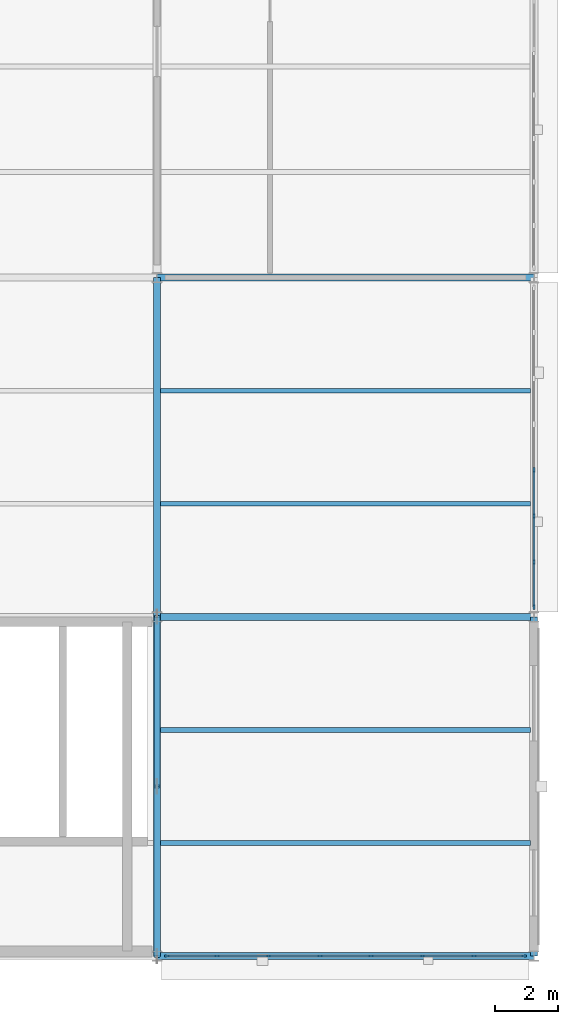
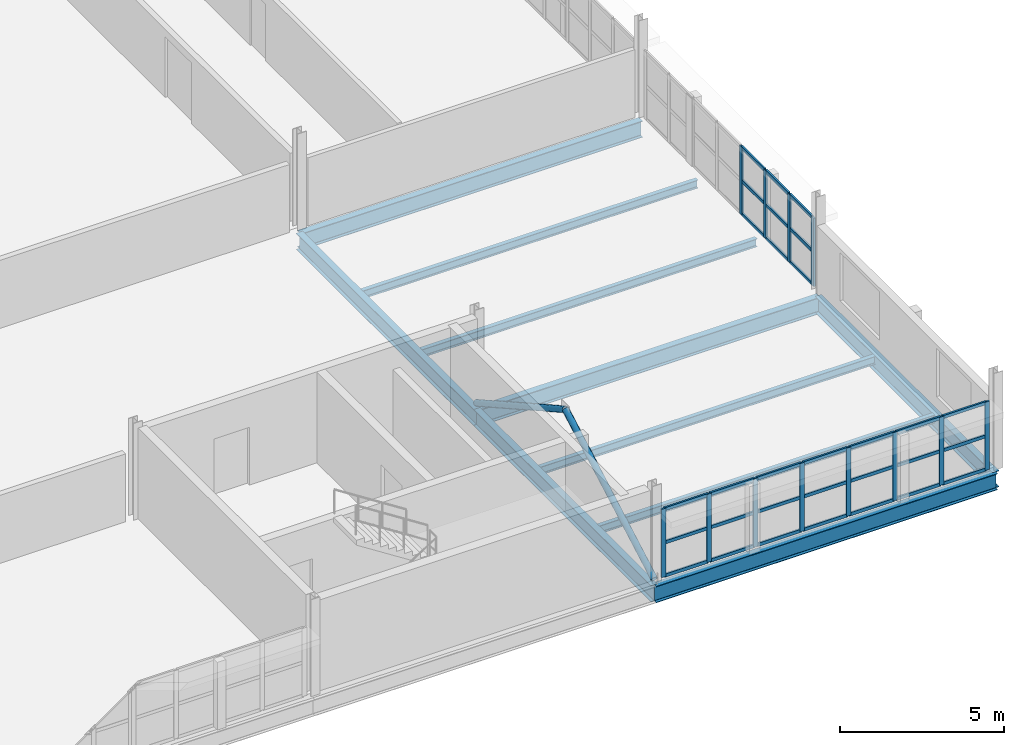
# One storey, part 48 of 101: 44 members, 10 beams, 2 elements without a shape of their own.
"""IFC4 building model written with IfcOpenShell, lengths in metres."""

from ifc_helpers import new_model, si_unit, direction, frame, origin, origin_2d, place, context, subcontext, project, spatial, rectangle, hollow_circle, i_section, extrude, material, layer, layer_set, material_profile, profile_set, type_object, element, aggregate, save


model = new_model("IFC4")

# Units and contexts
model_context = context("Model", 3, precision=1e-05, world=origin(), true_north=direction((0.0, 1.0)))
body_context = subcontext(model_context, "Body", "Model", "MODEL_VIEW")
ifc_project = project(units=[si_unit("LENGTHUNIT", "METRE"), si_unit("AREAUNIT", "SQUARE_METRE"), si_unit("VOLUMEUNIT", "CUBIC_METRE"), si_unit("PLANEANGLEUNIT", "RADIAN"), si_unit("MASSUNIT", "GRAM", prefix="KILO"), si_unit("THERMODYNAMICTEMPERATUREUNIT", "KELVIN"), si_unit("POWERUNIT", "WATT")], contexts=[model_context])

# Site, building, storey
site_placement = place(None, origin())
site = spatial("IfcSite", under=ifc_project, at=site_placement, CompositionType="ELEMENT")
building_placement = place(site_placement, origin())
building = spatial("IfcBuilding", under=site, at=building_placement, Name="Tembeka Court Mobility Hub", CompositionType="ELEMENT")
storey_placement = place(building_placement, frame((0.0, 0.0, 5.39990234375)))
storey = spatial("IfcBuildingStorey", under=building, at=storey_placement, Name="L01", CompositionType="ELEMENT", Elevation=5.39990234375)

# Beams
ifc_material_1 = material(Name="Steel S355", Category="steel")
ifc_material_profile_1 = material_profile(ifc_material_1, i_section(OverallWidth=0.22900390625, OverallDepth=0.612060546875, WebThickness=0.011962890625, FlangeThickness=0.01953125, FilletRadius=0.0126953125, at=origin_2d()), Name="UKB 610x229x125")
ifc_profile_set_1 = profile_set([ifc_material_profile_1], Name="Steel S355")
beam_type_1 = type_object("IfcBeamType", Name="BM-G02", PredefinedType="USERDEFINED", material=ifc_profile_set_1)
for number, where, z_axis, x_axis, name in (
    (1, (164.39990234375, 0.0, -0.495849609375), (1.0, 0.0, 0.0), (0.0, 1.0, 0.0), "Beam G02 (BM-L01-X0620)"),
    (2, (164.39990234375, 10.800048828125, -0.495849609375), (1.0, 0.0, 0.0), (0.0, 1.0, 0.0), "Beam G02 (BM-L01-X0628)"),
    (3, (164.39990234375, 21.60009765625, -0.495849609375), (1.0, 0.0, 0.0), (0.0, 1.0, 0.0), "Beam G02 (BM-L01-X0644)"),
):
    element("IfcBeam", number, at=place(storey_placement, frame(where, z_axis=z_axis, x_axis=x_axis)), inside=storey, type_object=beam_type_1, Name=name, ObjectType="GIRDER", PredefinedType="USERDEFINED", context=body_context, shape_type="SweptSolid", body=[
        extrude(i_section(OverallWidth=0.22900390625, OverallDepth=0.612060546875, WebThickness=0.011962890625, FlangeThickness=0.01953125, FilletRadius=0.0126953125, at=origin_2d()), origin(), (0.0, 0.0, 1.0), 12.0),
    ])
for number, where, z_axis, x_axis, name in (
    (4, (164.39990234375, 0.0, -0.495849609375), (0.0, 1.0, 0.0), (-1.0, 0.0, 0.0), "Beam G02 (BM-L01-Y0899)"),
    (5, (164.39990234375, 10.800048828125, -0.495849609375), (0.0, 1.0, 0.0), (-1.0, 0.0, 0.0), "Beam G02 (BM-L01-Y0900)"),
    (6, (176.39990234375, 0.0, -0.495849609375), (0.0, 1.0, 0.0), (-1.0, 0.0, 0.0), "Beam G02 (BM-L01-Y0905)"),
):
    element("IfcBeam", number, at=place(storey_placement, frame(where, z_axis=z_axis, x_axis=x_axis)), inside=storey, type_object=beam_type_1, Name=name, ObjectType="GIRDER", PredefinedType="USERDEFINED", context=body_context, shape_type="SweptSolid", body=[
        extrude(i_section(OverallWidth=0.22900390625, OverallDepth=0.612060546875, WebThickness=0.011962890625, FlangeThickness=0.01953125, FilletRadius=0.0126953125, at=origin_2d()), origin(), (0.0, 0.0, 1.0), 10.800048828125),
    ])
ifc_material_profile_2 = material_profile(ifc_material_1, i_section(OverallWidth=0.14990234375, OverallDepth=0.300048828125, WebThickness=0.007080078125, FlangeThickness=0.0107421875, FilletRadius=0.014892578125, at=origin_2d()), Name="IPE 300")
ifc_profile_set_2 = profile_set([ifc_material_profile_2], Name="Steel S355")
beam_type_2 = type_object("IfcBeamType", Name="BM-J04", PredefinedType="JOIST", material=ifc_profile_set_2)
for number, where, z_axis, x_axis, name in (
    (7, (164.509521484375, 3.60009765625, -0.33984375), (1.0, 0.0, 0.0), (0.0, 1.0, 0.0), "Beam J04 (JST-L01-1156)"),
    (8, (164.509521484375, 7.199951171875, -0.33984375), (1.0, 0.0, 0.0), (0.0, 1.0, 0.0), "Beam J04 (JST-L01-1157)"),
    (9, (164.509521484375, 14.39990234375, -0.33984375), (1.0, 0.0, 0.0), (0.0, 1.0, 0.0), "Beam J04 (JST-L01-1158)"),
    (10, (164.509521484375, 18.0, -0.33984375), (1.0, 0.0, 0.0), (0.0, 1.0, 0.0), "Beam J04 (JST-L01-1159)"),
):
    element("IfcBeam", number, at=place(storey_placement, frame(where, z_axis=z_axis, x_axis=x_axis)), inside=storey, type_object=beam_type_2, Name=name, PredefinedType="JOIST", context=body_context, shape_type="SweptSolid", body=[
        extrude(i_section(OverallWidth=0.14990234375, OverallDepth=0.300048828125, WebThickness=0.007080078125, FlangeThickness=0.0107421875, FilletRadius=0.014892578125, at=origin_2d()), origin(), (0.0, 0.0, 1.0), 11.781005859375),
    ])

# Curtain wall, members
ifc_material_2 = material(Name="Anodised aluminium 6063-T6", Category="aluminium")
ifc_layer_1 = layer(ifc_material_2, 0.159912109375)
ifc_layer_set_1 = layer_set([ifc_layer_1], Name="Anodised aluminium 6063-T6")
curtain_wall_type_1 = type_object("IfcCurtainWallType", Name="CW-SYS41", PredefinedType="USERDEFINED", material=ifc_layer_set_1)
curtain_wall_1_placement = place(storey_placement, origin())
curtain_wall_1 = element("IfcCurtainWall", 11, at=curtain_wall_1_placement, inside=storey, type_object=curtain_wall_type_1, Name="Unitised curtain wall CW41 (CW-L01-109)", ObjectType="UNITISED GLAZING", PredefinedType="USERDEFINED")
ifc_material_profile_3 = material_profile(ifc_material_2, rectangle(XDim=0.06494140625, YDim=0.159912109375, at=origin_2d()), Name="ALU-MUL 65x160")
ifc_profile_set_3 = profile_set([ifc_material_profile_3], Name="Anodised aluminium 6063-T6")
member_type_1 = type_object("IfcMemberType", Name="CW-MUL01", PredefinedType="MULLION", material=ifc_profile_set_3)
member_1_placement = place(storey_placement, frame((164.71240234375, 0.0, 0.0), z_axis=(0.0, 0.0, 1.0), x_axis=(0.0, 1.0, 0.0)))
member_1 = element("IfcMember", 12, at=member_1_placement, type_object=member_type_1, Name="CW41 mullion 1", PredefinedType="MULLION", context=body_context, shape_type="SweptSolid", body=[
    extrude(rectangle(XDim=0.06494140625, YDim=0.159912109375, at=origin_2d()), origin(), (0.0, 0.0, 1.0), 2.53515625),
])
member_2_placement = place(storey_placement, frame((166.314208984375, 0.0, 0.0), z_axis=(0.0, 0.0, 1.0), x_axis=(0.0, 1.0, 0.0)))
member_2 = element("IfcMember", 13, at=member_2_placement, type_object=member_type_1, Name="CW41 mullion 2", PredefinedType="MULLION", context=body_context, shape_type="SweptSolid", body=[
    extrude(rectangle(XDim=0.06494140625, YDim=0.159912109375, at=origin_2d()), origin(), (0.0, 0.0, 1.0), 2.53515625),
])
member_3_placement = place(storey_placement, frame((167.948486328125, 0.0, 0.0), z_axis=(0.0, 0.0, 1.0), x_axis=(0.0, 1.0, 0.0)))
member_3 = element("IfcMember", 14, at=member_3_placement, type_object=member_type_1, Name="CW41 mullion 3", PredefinedType="MULLION", context=body_context, shape_type="SweptSolid", body=[
    extrude(rectangle(XDim=0.06494140625, YDim=0.159912109375, at=origin_2d()), origin(), (0.0, 0.0, 1.0), 2.53515625),
])
member_4_placement = place(storey_placement, frame((169.582763671875, 0.0, 0.0), z_axis=(0.0, 0.0, 1.0), x_axis=(0.0, 1.0, 0.0)))
member_4 = element("IfcMember", 15, at=member_4_placement, type_object=member_type_1, Name="CW41 mullion 4", PredefinedType="MULLION", context=body_context, shape_type="SweptSolid", body=[
    extrude(rectangle(XDim=0.06494140625, YDim=0.159912109375, at=origin_2d()), origin(), (0.0, 0.0, 1.0), 2.53515625),
])
member_5_placement = place(storey_placement, frame((171.217041015625, 0.0, 0.0), z_axis=(0.0, 0.0, 1.0), x_axis=(0.0, 1.0, 0.0)))
member_5 = element("IfcMember", 16, at=member_5_placement, type_object=member_type_1, Name="CW41 mullion 5", PredefinedType="MULLION", context=body_context, shape_type="SweptSolid", body=[
    extrude(rectangle(XDim=0.06494140625, YDim=0.159912109375, at=origin_2d()), origin(), (0.0, 0.0, 1.0), 2.53515625),
])
member_6_placement = place(storey_placement, frame((172.851318359375, 0.0, 0.0), z_axis=(0.0, 0.0, 1.0), x_axis=(0.0, 1.0, 0.0)))
member_6 = element("IfcMember", 17, at=member_6_placement, type_object=member_type_1, Name="CW41 mullion 6", PredefinedType="MULLION", context=body_context, shape_type="SweptSolid", body=[
    extrude(rectangle(XDim=0.06494140625, YDim=0.159912109375, at=origin_2d()), origin(), (0.0, 0.0, 1.0), 2.53515625),
])
member_7_placement = place(storey_placement, frame((174.485595703125, 0.0, 0.0), z_axis=(0.0, 0.0, 1.0), x_axis=(0.0, 1.0, 0.0)))
member_7 = element("IfcMember", 18, at=member_7_placement, type_object=member_type_1, Name="CW41 mullion 7", PredefinedType="MULLION", context=body_context, shape_type="SweptSolid", body=[
    extrude(rectangle(XDim=0.06494140625, YDim=0.159912109375, at=origin_2d()), origin(), (0.0, 0.0, 1.0), 2.53515625),
])
member_8_placement = place(storey_placement, frame((176.08740234375, 0.0, 0.0), z_axis=(0.0, 0.0, 1.0), x_axis=(0.0, 1.0, 0.0)))
member_8 = element("IfcMember", 19, at=member_8_placement, type_object=member_type_1, Name="CW41 mullion 8", PredefinedType="MULLION", context=body_context, shape_type="SweptSolid", body=[
    extrude(rectangle(XDim=0.06494140625, YDim=0.159912109375, at=origin_2d()), origin(), (0.0, 0.0, 1.0), 2.53515625),
])

ifc_layer_2 = layer(ifc_material_2, 0.159912109375)
ifc_layer_set_2 = layer_set([ifc_layer_2], Name="Anodised aluminium 6063-T6")
curtain_wall_type_2 = type_object("IfcCurtainWallType", Name="CW-SYS42", PredefinedType="USERDEFINED", material=ifc_layer_set_2)
curtain_wall_2_placement = place(storey_placement, origin())
curtain_wall_2 = element("IfcCurtainWall", 20, at=curtain_wall_2_placement, inside=storey, type_object=curtain_wall_type_2, Name="Unitised curtain wall CW42 (CW-L01-110)", ObjectType="UNITISED GLAZING", PredefinedType="USERDEFINED")
member_9_placement = place(storey_placement, frame((176.39990234375, 11.112548828125, 0.0), z_axis=(0.0, 0.0, 1.0), x_axis=(-1.0, 0.0, 0.0)))
member_9 = element("IfcMember", 21, at=member_9_placement, type_object=member_type_1, Name="CW42 mullion 1", PredefinedType="MULLION", context=body_context, shape_type="SweptSolid", body=[
    extrude(rectangle(XDim=0.06494140625, YDim=0.159912109375, at=origin_2d()), origin(), (0.0, 0.0, 1.0), 2.53515625),
])
member_10_placement = place(storey_placement, frame((176.39990234375, 12.54296875, 0.0), z_axis=(0.0, 0.0, 1.0), x_axis=(-1.0, 0.0, 0.0)))
member_10 = element("IfcMember", 22, at=member_10_placement, type_object=member_type_1, Name="CW42 mullion 2", PredefinedType="MULLION", context=body_context, shape_type="SweptSolid", body=[
    extrude(rectangle(XDim=0.06494140625, YDim=0.159912109375, at=origin_2d()), origin(), (0.0, 0.0, 1.0), 2.53515625),
])
member_11_placement = place(storey_placement, frame((176.39990234375, 14.005615234375, 0.0), z_axis=(0.0, 0.0, 1.0), x_axis=(-1.0, 0.0, 0.0)))
member_11 = element("IfcMember", 23, at=member_11_placement, type_object=member_type_1, Name="CW42 mullion 3", PredefinedType="MULLION", context=body_context, shape_type="SweptSolid", body=[
    extrude(rectangle(XDim=0.06494140625, YDim=0.159912109375, at=origin_2d()), origin(), (0.0, 0.0, 1.0), 2.53515625),
])
member_12_placement = place(storey_placement, frame((176.39990234375, 15.468505859375, 0.0), z_axis=(0.0, 0.0, 1.0), x_axis=(-1.0, 0.0, 0.0)))
member_12 = element("IfcMember", 24, at=member_12_placement, type_object=member_type_1, Name="CW42 mullion 4", PredefinedType="MULLION", context=body_context, shape_type="SweptSolid", body=[
    extrude(rectangle(XDim=0.06494140625, YDim=0.159912109375, at=origin_2d()), origin(), (0.0, 0.0, 1.0), 2.53515625),
])

# Member
ifc_material_profile_4 = material_profile(ifc_material_2, rectangle(XDim=0.06494140625, YDim=0.1201171875, at=origin_2d()), Name="ALU-TRN 65x120")
ifc_profile_set_4 = profile_set([ifc_material_profile_4], Name="Anodised aluminium 6063-T6")
member_type_2 = type_object("IfcMemberType", Name="CW-TRN01", PredefinedType="USERDEFINED", material=ifc_profile_set_4)
member_13_placement = place(storey_placement, frame((164.7451171875, 0.0, 0.03271484375), z_axis=(1.0, 0.0, 0.0), x_axis=(0.0, 1.0, 0.0)))
member_13 = element("IfcMember", 25, at=member_13_placement, type_object=member_type_2, Name="CW41 transom 1.1", ObjectType="TRANSOM", PredefinedType="USERDEFINED", context=body_context, shape_type="SweptSolid", body=[
    extrude(rectangle(XDim=0.06494140625, YDim=0.1201171875, at=origin_2d()), origin(), (0.0, 0.0, 1.0), 1.53662109375),
])

member_14_placement = place(storey_placement, frame((164.7451171875, 0.0, 1.267578125), z_axis=(1.0, 0.0, 0.0), x_axis=(0.0, 1.0, 0.0)))
member_14 = element("IfcMember", 26, at=member_14_placement, type_object=member_type_2, Name="CW41 transom 1.2", ObjectType="TRANSOM", PredefinedType="USERDEFINED", context=body_context, shape_type="SweptSolid", body=[
    extrude(rectangle(XDim=0.06494140625, YDim=0.1201171875, at=origin_2d()), origin(), (0.0, 0.0, 1.0), 1.53662109375),
])

member_15_placement = place(storey_placement, frame((164.7451171875, 0.0, 2.502685546875), z_axis=(1.0, 0.0, 0.0), x_axis=(0.0, 1.0, 0.0)))
member_15 = element("IfcMember", 27, at=member_15_placement, type_object=member_type_2, Name="CW41 transom 1.3", ObjectType="TRANSOM", PredefinedType="USERDEFINED", context=body_context, shape_type="SweptSolid", body=[
    extrude(rectangle(XDim=0.06494140625, YDim=0.1201171875, at=origin_2d()), origin(), (0.0, 0.0, 1.0), 1.53662109375),
])

member_16_placement = place(storey_placement, frame((166.3466796875, 0.0, 0.03271484375), z_axis=(1.0, 0.0, 0.0), x_axis=(0.0, 1.0, 0.0)))
member_16 = element("IfcMember", 28, at=member_16_placement, type_object=member_type_2, Name="CW41 transom 2.1", ObjectType="TRANSOM", PredefinedType="USERDEFINED", context=body_context, shape_type="SweptSolid", body=[
    extrude(rectangle(XDim=0.06494140625, YDim=0.1201171875, at=origin_2d()), origin(), (0.0, 0.0, 1.0), 1.5693359375),
])

member_17_placement = place(storey_placement, frame((166.3466796875, 0.0, 1.267578125), z_axis=(1.0, 0.0, 0.0), x_axis=(0.0, 1.0, 0.0)))
member_17 = element("IfcMember", 29, at=member_17_placement, type_object=member_type_2, Name="CW41 transom 2.2", ObjectType="TRANSOM", PredefinedType="USERDEFINED", context=body_context, shape_type="SweptSolid", body=[
    extrude(rectangle(XDim=0.06494140625, YDim=0.1201171875, at=origin_2d()), origin(), (0.0, 0.0, 1.0), 1.5693359375),
])

member_18_placement = place(storey_placement, frame((166.3466796875, 0.0, 2.502685546875), z_axis=(1.0, 0.0, 0.0), x_axis=(0.0, 1.0, 0.0)))
member_18 = element("IfcMember", 30, at=member_18_placement, type_object=member_type_2, Name="CW41 transom 2.3", ObjectType="TRANSOM", PredefinedType="USERDEFINED", context=body_context, shape_type="SweptSolid", body=[
    extrude(rectangle(XDim=0.06494140625, YDim=0.1201171875, at=origin_2d()), origin(), (0.0, 0.0, 1.0), 1.5693359375),
])

member_19_placement = place(storey_placement, frame((167.98095703125, 0.0, 0.03271484375), z_axis=(1.0, 0.0, 0.0), x_axis=(0.0, 1.0, 0.0)))
member_19 = element("IfcMember", 31, at=member_19_placement, type_object=member_type_2, Name="CW41 transom 3.1", ObjectType="TRANSOM", PredefinedType="USERDEFINED", context=body_context, shape_type="SweptSolid", body=[
    extrude(rectangle(XDim=0.06494140625, YDim=0.1201171875, at=origin_2d()), origin(), (0.0, 0.0, 1.0), 1.5693359375),
])

member_20_placement = place(storey_placement, frame((167.98095703125, 0.0, 1.267578125), z_axis=(1.0, 0.0, 0.0), x_axis=(0.0, 1.0, 0.0)))
member_20 = element("IfcMember", 32, at=member_20_placement, type_object=member_type_2, Name="CW41 transom 3.2", ObjectType="TRANSOM", PredefinedType="USERDEFINED", context=body_context, shape_type="SweptSolid", body=[
    extrude(rectangle(XDim=0.06494140625, YDim=0.1201171875, at=origin_2d()), origin(), (0.0, 0.0, 1.0), 1.5693359375),
])

member_21_placement = place(storey_placement, frame((167.98095703125, 0.0, 2.502685546875), z_axis=(1.0, 0.0, 0.0), x_axis=(0.0, 1.0, 0.0)))
member_21 = element("IfcMember", 33, at=member_21_placement, type_object=member_type_2, Name="CW41 transom 3.3", ObjectType="TRANSOM", PredefinedType="USERDEFINED", context=body_context, shape_type="SweptSolid", body=[
    extrude(rectangle(XDim=0.06494140625, YDim=0.1201171875, at=origin_2d()), origin(), (0.0, 0.0, 1.0), 1.5693359375),
])

member_22_placement = place(storey_placement, frame((169.615478515625, 0.0, 0.03271484375), z_axis=(1.0, 0.0, 0.0), x_axis=(0.0, 1.0, 0.0)))
member_22 = element("IfcMember", 34, at=member_22_placement, type_object=member_type_2, Name="CW41 transom 4.1", ObjectType="TRANSOM", PredefinedType="USERDEFINED", context=body_context, shape_type="SweptSolid", body=[
    extrude(rectangle(XDim=0.06494140625, YDim=0.1201171875, at=origin_2d()), origin(), (0.0, 0.0, 1.0), 1.569091796875),
])

member_23_placement = place(storey_placement, frame((169.615478515625, 0.0, 1.267578125), z_axis=(1.0, 0.0, 0.0), x_axis=(0.0, 1.0, 0.0)))
member_23 = element("IfcMember", 35, at=member_23_placement, type_object=member_type_2, Name="CW41 transom 4.2", ObjectType="TRANSOM", PredefinedType="USERDEFINED", context=body_context, shape_type="SweptSolid", body=[
    extrude(rectangle(XDim=0.06494140625, YDim=0.1201171875, at=origin_2d()), origin(), (0.0, 0.0, 1.0), 1.569091796875),
])

member_24_placement = place(storey_placement, frame((169.615478515625, 0.0, 2.502685546875), z_axis=(1.0, 0.0, 0.0), x_axis=(0.0, 1.0, 0.0)))
member_24 = element("IfcMember", 36, at=member_24_placement, type_object=member_type_2, Name="CW41 transom 4.3", ObjectType="TRANSOM", PredefinedType="USERDEFINED", context=body_context, shape_type="SweptSolid", body=[
    extrude(rectangle(XDim=0.06494140625, YDim=0.1201171875, at=origin_2d()), origin(), (0.0, 0.0, 1.0), 1.569091796875),
])

member_25_placement = place(storey_placement, frame((171.249755859375, 0.0, 0.03271484375), z_axis=(1.0, 0.0, 0.0), x_axis=(0.0, 1.0, 0.0)))
member_25 = element("IfcMember", 37, at=member_25_placement, type_object=member_type_2, Name="CW41 transom 5.1", ObjectType="TRANSOM", PredefinedType="USERDEFINED", context=body_context, shape_type="SweptSolid", body=[
    extrude(rectangle(XDim=0.06494140625, YDim=0.1201171875, at=origin_2d()), origin(), (0.0, 0.0, 1.0), 1.569091796875),
])

member_26_placement = place(storey_placement, frame((171.249755859375, 0.0, 1.267578125), z_axis=(1.0, 0.0, 0.0), x_axis=(0.0, 1.0, 0.0)))
member_26 = element("IfcMember", 38, at=member_26_placement, type_object=member_type_2, Name="CW41 transom 5.2", ObjectType="TRANSOM", PredefinedType="USERDEFINED", context=body_context, shape_type="SweptSolid", body=[
    extrude(rectangle(XDim=0.06494140625, YDim=0.1201171875, at=origin_2d()), origin(), (0.0, 0.0, 1.0), 1.569091796875),
])

member_27_placement = place(storey_placement, frame((171.249755859375, 0.0, 2.502685546875), z_axis=(1.0, 0.0, 0.0), x_axis=(0.0, 1.0, 0.0)))
member_27 = element("IfcMember", 39, at=member_27_placement, type_object=member_type_2, Name="CW41 transom 5.3", ObjectType="TRANSOM", PredefinedType="USERDEFINED", context=body_context, shape_type="SweptSolid", body=[
    extrude(rectangle(XDim=0.06494140625, YDim=0.1201171875, at=origin_2d()), origin(), (0.0, 0.0, 1.0), 1.569091796875),
])

member_28_placement = place(storey_placement, frame((172.884033203125, 0.0, 0.03271484375), z_axis=(1.0, 0.0, 0.0), x_axis=(0.0, 1.0, 0.0)))
member_28 = element("IfcMember", 40, at=member_28_placement, type_object=member_type_2, Name="CW41 transom 6.1", ObjectType="TRANSOM", PredefinedType="USERDEFINED", context=body_context, shape_type="SweptSolid", body=[
    extrude(rectangle(XDim=0.06494140625, YDim=0.1201171875, at=origin_2d()), origin(), (0.0, 0.0, 1.0), 1.569091796875),
])

member_29_placement = place(storey_placement, frame((172.884033203125, 0.0, 1.267578125), z_axis=(1.0, 0.0, 0.0), x_axis=(0.0, 1.0, 0.0)))
member_29 = element("IfcMember", 41, at=member_29_placement, type_object=member_type_2, Name="CW41 transom 6.2", ObjectType="TRANSOM", PredefinedType="USERDEFINED", context=body_context, shape_type="SweptSolid", body=[
    extrude(rectangle(XDim=0.06494140625, YDim=0.1201171875, at=origin_2d()), origin(), (0.0, 0.0, 1.0), 1.569091796875),
])

member_30_placement = place(storey_placement, frame((172.884033203125, 0.0, 2.502685546875), z_axis=(1.0, 0.0, 0.0), x_axis=(0.0, 1.0, 0.0)))
member_30 = element("IfcMember", 42, at=member_30_placement, type_object=member_type_2, Name="CW41 transom 6.3", ObjectType="TRANSOM", PredefinedType="USERDEFINED", context=body_context, shape_type="SweptSolid", body=[
    extrude(rectangle(XDim=0.06494140625, YDim=0.1201171875, at=origin_2d()), origin(), (0.0, 0.0, 1.0), 1.569091796875),
])

member_31_placement = place(storey_placement, frame((174.518310546875, 0.0, 0.03271484375), z_axis=(1.0, 0.0, 0.0), x_axis=(0.0, 1.0, 0.0)))
member_31 = element("IfcMember", 43, at=member_31_placement, type_object=member_type_2, Name="CW41 transom 7.1", ObjectType="TRANSOM", PredefinedType="USERDEFINED", context=body_context, shape_type="SweptSolid", body=[
    extrude(rectangle(XDim=0.06494140625, YDim=0.1201171875, at=origin_2d()), origin(), (0.0, 0.0, 1.0), 1.53662109375),
])

member_32_placement = place(storey_placement, frame((174.518310546875, 0.0, 1.267578125), z_axis=(1.0, 0.0, 0.0), x_axis=(0.0, 1.0, 0.0)))
member_32 = element("IfcMember", 44, at=member_32_placement, type_object=member_type_2, Name="CW41 transom 7.2", ObjectType="TRANSOM", PredefinedType="USERDEFINED", context=body_context, shape_type="SweptSolid", body=[
    extrude(rectangle(XDim=0.06494140625, YDim=0.1201171875, at=origin_2d()), origin(), (0.0, 0.0, 1.0), 1.53662109375),
])

member_33_placement = place(storey_placement, frame((174.518310546875, 0.0, 2.502685546875), z_axis=(1.0, 0.0, 0.0), x_axis=(0.0, 1.0, 0.0)))
member_33 = element("IfcMember", 45, at=member_33_placement, type_object=member_type_2, Name="CW41 transom 7.3", ObjectType="TRANSOM", PredefinedType="USERDEFINED", context=body_context, shape_type="SweptSolid", body=[
    extrude(rectangle(XDim=0.06494140625, YDim=0.1201171875, at=origin_2d()), origin(), (0.0, 0.0, 1.0), 1.53662109375),
])

aggregate(curtain_wall_1, [member_1, member_2, member_3, member_4, member_5, member_6, member_7, member_8, member_13, member_14, member_15, member_16, member_17, member_18, member_19, member_20, member_21, member_22, member_23, member_24, member_25, member_26, member_27, member_28, member_29, member_30, member_31, member_32, member_33])

member_34_placement = place(storey_placement, frame((176.39990234375, 11.14501953125, 0.03271484375), z_axis=(0.0, 1.0, 0.0), x_axis=(-1.0, 0.0, 0.0)))
member_34 = element("IfcMember", 46, at=member_34_placement, type_object=member_type_2, Name="CW42 transom 1.1", ObjectType="TRANSOM", PredefinedType="USERDEFINED", context=body_context, shape_type="SweptSolid", body=[
    extrude(rectangle(XDim=0.06494140625, YDim=0.1201171875, at=origin_2d()), origin(), (0.0, 0.0, 1.0), 1.365234375),
])

member_35_placement = place(storey_placement, frame((176.39990234375, 11.14501953125, 1.267578125), z_axis=(0.0, 1.0, 0.0), x_axis=(-1.0, 0.0, 0.0)))
member_35 = element("IfcMember", 47, at=member_35_placement, type_object=member_type_2, Name="CW42 transom 1.2", ObjectType="TRANSOM", PredefinedType="USERDEFINED", context=body_context, shape_type="SweptSolid", body=[
    extrude(rectangle(XDim=0.06494140625, YDim=0.1201171875, at=origin_2d()), origin(), (0.0, 0.0, 1.0), 1.365234375),
])

member_36_placement = place(storey_placement, frame((176.39990234375, 11.14501953125, 2.502685546875), z_axis=(0.0, 1.0, 0.0), x_axis=(-1.0, 0.0, 0.0)))
member_36 = element("IfcMember", 48, at=member_36_placement, type_object=member_type_2, Name="CW42 transom 1.3", ObjectType="TRANSOM", PredefinedType="USERDEFINED", context=body_context, shape_type="SweptSolid", body=[
    extrude(rectangle(XDim=0.06494140625, YDim=0.1201171875, at=origin_2d()), origin(), (0.0, 0.0, 1.0), 1.365234375),
])

member_37_placement = place(storey_placement, frame((176.39990234375, 12.575439453125, 0.03271484375), z_axis=(0.0, 1.0, 0.0), x_axis=(-1.0, 0.0, 0.0)))
member_37 = element("IfcMember", 49, at=member_37_placement, type_object=member_type_2, Name="CW42 transom 2.1", ObjectType="TRANSOM", PredefinedType="USERDEFINED", context=body_context, shape_type="SweptSolid", body=[
    extrude(rectangle(XDim=0.06494140625, YDim=0.1201171875, at=origin_2d()), origin(), (0.0, 0.0, 1.0), 1.397705078125),
])

member_38_placement = place(storey_placement, frame((176.39990234375, 12.575439453125, 1.267578125), z_axis=(0.0, 1.0, 0.0), x_axis=(-1.0, 0.0, 0.0)))
member_38 = element("IfcMember", 50, at=member_38_placement, type_object=member_type_2, Name="CW42 transom 2.2", ObjectType="TRANSOM", PredefinedType="USERDEFINED", context=body_context, shape_type="SweptSolid", body=[
    extrude(rectangle(XDim=0.06494140625, YDim=0.1201171875, at=origin_2d()), origin(), (0.0, 0.0, 1.0), 1.397705078125),
])

member_39_placement = place(storey_placement, frame((176.39990234375, 12.575439453125, 2.502685546875), z_axis=(0.0, 1.0, 0.0), x_axis=(-1.0, 0.0, 0.0)))
member_39 = element("IfcMember", 51, at=member_39_placement, type_object=member_type_2, Name="CW42 transom 2.3", ObjectType="TRANSOM", PredefinedType="USERDEFINED", context=body_context, shape_type="SweptSolid", body=[
    extrude(rectangle(XDim=0.06494140625, YDim=0.1201171875, at=origin_2d()), origin(), (0.0, 0.0, 1.0), 1.397705078125),
])

member_40_placement = place(storey_placement, frame((176.39990234375, 14.038330078125, 0.03271484375), z_axis=(0.0, 1.0, 0.0), x_axis=(-1.0, 0.0, 0.0)))
member_40 = element("IfcMember", 52, at=member_40_placement, type_object=member_type_2, Name="CW42 transom 3.1", ObjectType="TRANSOM", PredefinedType="USERDEFINED", context=body_context, shape_type="SweptSolid", body=[
    extrude(rectangle(XDim=0.06494140625, YDim=0.1201171875, at=origin_2d()), origin(), (0.0, 0.0, 1.0), 1.397705078125),
])

member_41_placement = place(storey_placement, frame((176.39990234375, 14.038330078125, 1.267578125), z_axis=(0.0, 1.0, 0.0), x_axis=(-1.0, 0.0, 0.0)))
member_41 = element("IfcMember", 53, at=member_41_placement, type_object=member_type_2, Name="CW42 transom 3.2", ObjectType="TRANSOM", PredefinedType="USERDEFINED", context=body_context, shape_type="SweptSolid", body=[
    extrude(rectangle(XDim=0.06494140625, YDim=0.1201171875, at=origin_2d()), origin(), (0.0, 0.0, 1.0), 1.397705078125),
])

member_42_placement = place(storey_placement, frame((176.39990234375, 14.038330078125, 2.502685546875), z_axis=(0.0, 1.0, 0.0), x_axis=(-1.0, 0.0, 0.0)))
member_42 = element("IfcMember", 54, at=member_42_placement, type_object=member_type_2, Name="CW42 transom 3.3", ObjectType="TRANSOM", PredefinedType="USERDEFINED", context=body_context, shape_type="SweptSolid", body=[
    extrude(rectangle(XDim=0.06494140625, YDim=0.1201171875, at=origin_2d()), origin(), (0.0, 0.0, 1.0), 1.397705078125),
])

aggregate(curtain_wall_2, [member_9, member_10, member_11, member_12, member_34, member_35, member_36, member_37, member_38, member_39, member_40, member_41, member_42])

# Members
ifc_material_profile_5 = material_profile(ifc_material_1, hollow_circle(Radius=0.109619140625, WallThickness=0.010009765625, at=origin_2d()), Name="CHS 219.1x10")
ifc_profile_set_5 = profile_set([ifc_material_profile_5], Name="Steel S355")
member_type_3 = type_object("IfcMemberType", Name="MEM-BR01", PredefinedType="BRACE", material=ifc_profile_set_5)
member_43_placement = place(storey_placement, frame((164.39990234375, 0.0, 0.02001953125), z_axis=(0.0, 0.872086818054, 0.489351184505), x_axis=(-1.0, 0.0, 0.0)))
element("IfcMember", 55, at=member_43_placement, inside=storey, type_object=member_type_3, Name="Steel chevron brace BR01 (L01-15A)", PredefinedType="BRACE", context=body_context, shape_type="SweptSolid", body=[
    extrude(hollow_circle(Radius=0.109619140625, WallThickness=0.010009765625, at=origin_2d()), origin(), (0.0, 0.0, 1.0), 6.19189453125),
])
member_44_placement = place(storey_placement, frame((164.39990234375, 10.800048828125, 0.02001953125), z_axis=(0.0, -0.872096259375, 0.489334358475), x_axis=(1.0, 0.0, 0.0)))
element("IfcMember", 56, at=member_44_placement, inside=storey, type_object=member_type_3, Name="Steel chevron brace BR01 (L01-15B)", PredefinedType="BRACE", context=body_context, shape_type="SweptSolid", body=[
    extrude(hollow_circle(Radius=0.109619140625, WallThickness=0.010009765625, at=origin_2d()), origin(), (0.0, 0.0, 1.0), 6.192138671875),
])

save(model, "model.ifc")
